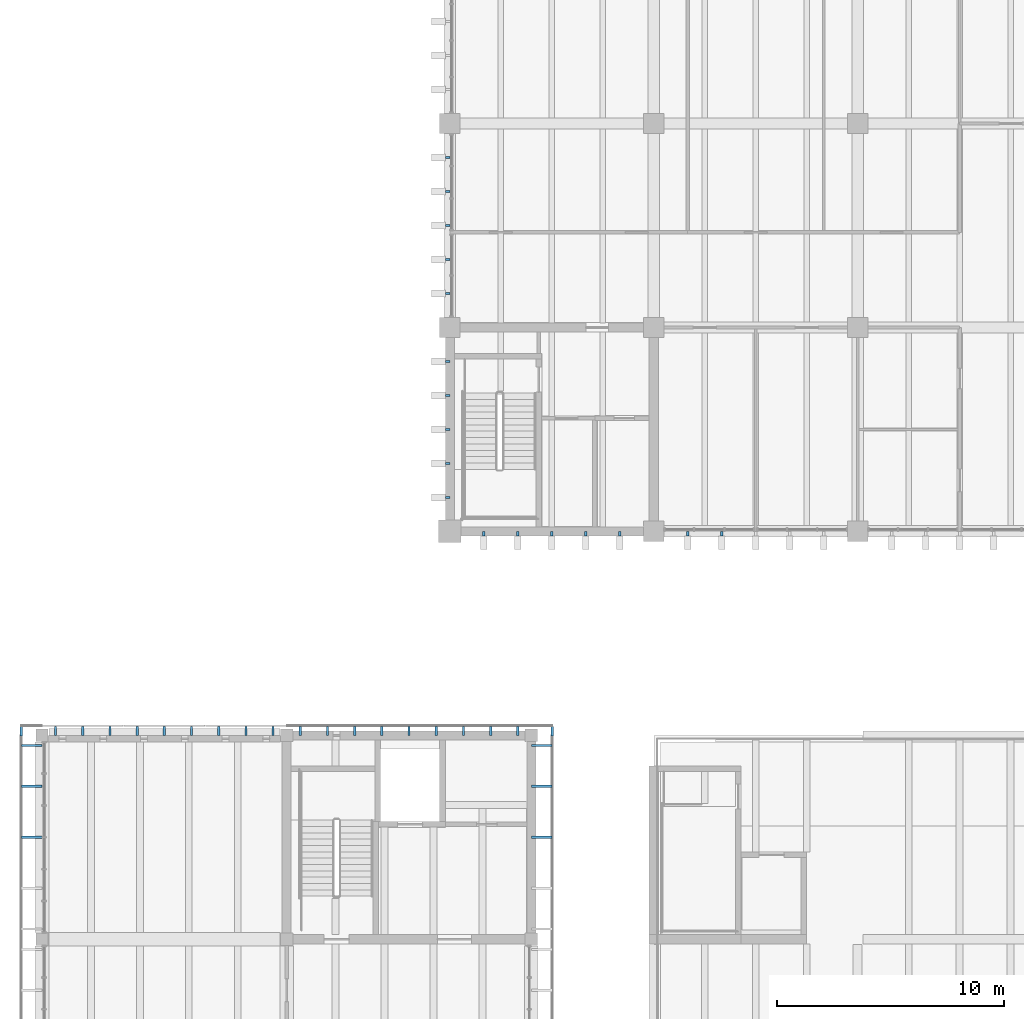
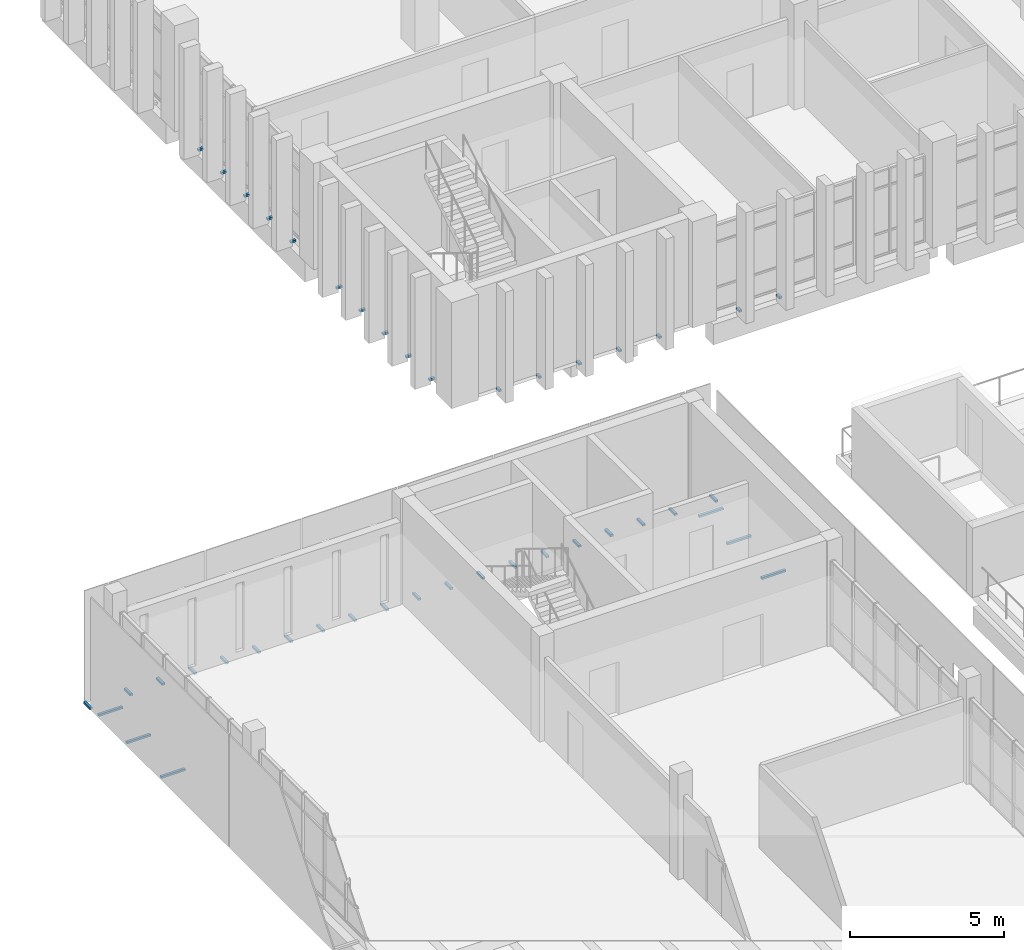
# One storey, part 53 of 74: 43 discrete accessories.
"""IFC4 building model written with IfcOpenShell, lengths in metres."""

from ifc_helpers import new_model, si_unit, direction, frame, origin, place, context, subcontext, project, spatial, polyline, outline, extrude, source, transform, mapped, material, type_object, element, save


model = new_model("IFC4")

# Units and contexts
model_context = context("Model", 3, precision=1e-05, world=origin(), true_north=direction((0.0, 1.0)))
body_context = subcontext(model_context, "Body", "Model", "MODEL_VIEW")
ifc_project = project(units=[si_unit("LENGTHUNIT", "METRE"), si_unit("AREAUNIT", "SQUARE_METRE"), si_unit("VOLUMEUNIT", "CUBIC_METRE"), si_unit("PLANEANGLEUNIT", "RADIAN"), si_unit("MASSUNIT", "GRAM", prefix="KILO")], contexts=[model_context])

# Site, building, storey
site_placement = place(None, origin())
site = spatial("IfcSite", under=ifc_project, at=site_placement, CompositionType="ELEMENT")
building_placement = place(site_placement, origin())
building = spatial("IfcBuilding", under=site, at=building_placement, Name="Merrow Basin Faculty of Sciences", CompositionType="ELEMENT")
storey_placement = place(building_placement, frame((0.0, 0.0, 13.5)))
storey = spatial("IfcBuildingStorey", under=building, at=storey_placement, Name="L03", CompositionType="ELEMENT", Elevation=13.5)

# Discrete accessories
ifc_material_1 = material(Name="Steel ASTM A572 Gr 50", Category="steel")
discrete_accessory_type_1 = type_object("IfcDiscreteAccessoryType", Name="Steel T bracket 100 x 80", PredefinedType="BRACKET", material=ifc_material_1)
shared_shape_1 = source(origin(), body_context, "Body", "SweptSolid", [
    extrude(outline(polyline([(0.0, 0.0), (0.10009765625, 0.0), (0.10009765625, 0.080078125), (0.0, 0.080078125), (0.0, 0.0)])), origin(), (0.0, 0.0, 1.0), 0.89990234375),
])
for number, where, z_axis, x_axis, name in (
    (1, (-0.89990234375, 128.449951171875, -0.2900390625), (1.0, 0.0, 0.0), (0.0, 1.0, 0.0), "Bracket WL03-08"),
    (2, (-0.89990234375, 130.699951171875, -0.2900390625), (1.0, 0.0, 0.0), (0.0, 1.0, 0.0), "Bracket WL03-08"),
    (3, (-0.89990234375, 132.5, -0.2900390625), (1.0, 0.0, 0.0), (0.0, 1.0, 0.0), "Bracket WL03-08"),
    (4, (22.5, 132.60009765625, -0.2900390625), (-1.0, 0.0, 0.0), (0.0, -1.0, 0.0), "Bracket EL03-08"),
    (5, (22.5, 130.800048828125, -0.2900390625), (-1.0, 0.0, 0.0), (0.0, -1.0, 0.0), "Bracket EL03-08"),
    (6, (22.5, 128.550048828125, -0.2900390625), (-1.0, 0.0, 0.0), (0.0, -1.0, 0.0), "Bracket EL03-08"),
):
    element("IfcDiscreteAccessory", number, at=place(storey_placement, frame(where, z_axis=z_axis, x_axis=x_axis)), inside=storey, type_object=discrete_accessory_type_1, Name=name, PredefinedType="BRACKET", context=body_context, shape_type="MappedRepresentation", body=[
        mapped(shared_shape_1, transform((0.0, 0.0, 0.0), scale=1.0)),
    ])
ifc_material_2 = material(Name="Steel ASTM A572 Gr 50", Category="steel")
discrete_accessory_type_2 = type_object("IfcDiscreteAccessoryType", Name="Steel T bracket 100 x 80 corner", PredefinedType="BRACKET", material=ifc_material_2)
shared_shape_2 = source(origin(), body_context, "Body", "SweptSolid", [
    extrude(outline(polyline([(0.0, 0.0), (0.10009765625, 0.0), (0.10009765625, 0.080078125), (0.0, 0.080078125), (0.0, 0.0)])), origin(), (0.0, 0.0, 1.0), 0.419921875),
])
for number, where, z_axis, x_axis, name in (
    (7, (-0.969970703125, 133.39990234375, -0.2900390625), (0.0, -1.0, 0.0), (1.0, 0.0, 0.0), "End corner bracket NL03-01"),
    (8, (22.469970703125, 133.39990234375, -0.2900390625), (0.0, -1.0, 0.0), (1.0, 0.0, 0.0), "End corner bracket NL03-08"),
):
    element("IfcDiscreteAccessory", number, at=place(storey_placement, frame(where, z_axis=z_axis, x_axis=x_axis)), inside=storey, type_object=discrete_accessory_type_2, Name=name, PredefinedType="BRACKET", context=body_context, shape_type="MappedRepresentation", body=[
        mapped(shared_shape_2, transform((0.0, 0.0, 0.0), scale=1.0)),
    ])
ifc_material_3 = material(Name="Steel ASTM A572 Gr 50", Category="steel")
discrete_accessory_type_3 = type_object("IfcDiscreteAccessoryType", Name="Steel T bracket 100 x 80 short", PredefinedType="BRACKET", material=ifc_material_3)
shared_shape_3 = source(origin(), body_context, "Body", "SweptSolid", [
    extrude(outline(polyline([(0.0, 0.0), (0.10009765625, 0.0), (0.10009765625, 0.080078125), (0.0, 0.080078125), (0.0, 0.0)])), origin(), (0.0, 0.0, 1.0), 0.39990234375),
])
for number, where, z_axis, x_axis, name in (
    (9, (0.550048828125, 133.39990234375, -0.2900390625), (0.0, -1.0, 0.0), (1.0, 0.0, 0.0), "End bracket NL03-02-1"),
    (10, (1.75, 133.39990234375, -0.2900390625), (0.0, -1.0, 0.0), (1.0, 0.0, 0.0), "End bracket NL03-02-2"),
    (11, (2.949951171875, 133.39990234375, -0.2900390625), (0.0, -1.0, 0.0), (1.0, 0.0, 0.0), "End bracket NL03-02-3"),
    (12, (4.14990234375, 133.39990234375, -0.2900390625), (0.0, -1.0, 0.0), (1.0, 0.0, 0.0), "End bracket NL03-03-1"),
    (13, (5.35009765625, 133.39990234375, -0.2900390625), (0.0, -1.0, 0.0), (1.0, 0.0, 0.0), "End bracket NL03-03-2"),
    (14, (6.550048828125, 133.39990234375, -0.2900390625), (0.0, -1.0, 0.0), (1.0, 0.0, 0.0), "End bracket NL03-03-3"),
    (15, (7.75, 133.39990234375, -0.2900390625), (0.0, -1.0, 0.0), (1.0, 0.0, 0.0), "End bracket NL03-04-1"),
    (16, (8.949951171875, 133.39990234375, -0.2900390625), (0.0, -1.0, 0.0), (1.0, 0.0, 0.0), "End bracket NL03-04-2"),
    (17, (10.14990234375, 133.39990234375, -0.2900390625), (0.0, -1.0, 0.0), (1.0, 0.0, 0.0), "End bracket NL03-04-3"),
    (18, (11.35009765625, 133.39990234375, -0.2900390625), (0.0, -1.0, 0.0), (1.0, 0.0, 0.0), "End bracket NL03-05-1"),
    (19, (12.550048828125, 133.39990234375, -0.2900390625), (0.0, -1.0, 0.0), (1.0, 0.0, 0.0), "End bracket NL03-05-2"),
    (20, (13.75, 133.39990234375, -0.2900390625), (0.0, -1.0, 0.0), (1.0, 0.0, 0.0), "End bracket NL03-05-3"),
    (21, (14.949951171875, 133.39990234375, -0.2900390625), (0.0, -1.0, 0.0), (1.0, 0.0, 0.0), "End bracket NL03-06-1"),
    (22, (16.14990234375, 133.39990234375, -0.2900390625), (0.0, -1.0, 0.0), (1.0, 0.0, 0.0), "End bracket NL03-06-2"),
    (23, (17.35009765625, 133.39990234375, -0.2900390625), (0.0, -1.0, 0.0), (1.0, 0.0, 0.0), "End bracket NL03-06-3"),
    (24, (18.550048828125, 133.39990234375, -0.2900390625), (0.0, -1.0, 0.0), (1.0, 0.0, 0.0), "End bracket NL03-07-1"),
    (25, (19.75, 133.39990234375, -0.2900390625), (0.0, -1.0, 0.0), (1.0, 0.0, 0.0), "End bracket NL03-07-2"),
    (26, (20.949951171875, 133.39990234375, -0.2900390625), (0.0, -1.0, 0.0), (1.0, 0.0, 0.0), "End bracket NL03-07-3"),
):
    element("IfcDiscreteAccessory", number, at=place(storey_placement, frame(where, z_axis=z_axis, x_axis=x_axis)), inside=storey, type_object=discrete_accessory_type_3, Name=name, PredefinedType="BRACKET", context=body_context, shape_type="MappedRepresentation", body=[
        mapped(shared_shape_3, transform((0.0, 0.0, 0.0), scale=1.0)),
    ])
ifc_material_4 = material(Name="Steel ASTM A572 Gr 50", Category="steel")
discrete_accessory_type_4 = type_object("IfcDiscreteAccessoryType", Name="Steel T bracket 100 x 80 fin", PredefinedType="BRACKET", material=ifc_material_4)
shared_shape_4 = source(origin(), body_context, "Body", "SweptSolid", [
    extrude(outline(polyline([(0.0, 0.0), (0.10009765625, 0.0), (0.10009765625, 0.080078125), (0.0, 0.080078125), (0.0, 0.0)])), origin(), (0.0, 0.0, 1.0), 0.199951171875),
])
for number, where, z_axis, x_axis, name in (
    (27, (19.449951171875, 142.0, -0.199951171875), (0.0, -1.0, 0.0), (1.0, 0.0, 0.0), "Fin bracket SL03"),
    (28, (20.949951171875, 142.0, -0.199951171875), (0.0, -1.0, 0.0), (1.0, 0.0, 0.0), "Fin bracket SL03"),
    (29, (22.449951171875, 142.0, -0.199951171875), (0.0, -1.0, 0.0), (1.0, 0.0, 0.0), "Fin bracket SL03"),
    (30, (23.949951171875, 142.0, -0.199951171875), (0.0, -1.0, 0.0), (1.0, 0.0, 0.0), "Fin bracket SL03"),
    (31, (25.449951171875, 142.0, -0.199951171875), (0.0, -1.0, 0.0), (1.0, 0.0, 0.0), "Fin bracket SL03"),
    (32, (28.449951171875, 142.0, -0.199951171875), (0.0, -1.0, 0.0), (1.0, 0.0, 0.0), "Fin bracket SL03"),
    (33, (29.949951171875, 142.0, -0.199951171875), (0.0, -1.0, 0.0), (1.0, 0.0, 0.0), "Fin bracket SL03"),
    (34, (18.0, 143.550048828125, -0.199951171875), (-1.0, 0.0, 0.0), (0.0, -1.0, 0.0), "Fin bracket WL03"),
    (35, (18.0, 145.050048828125, -0.199951171875), (-1.0, 0.0, 0.0), (0.0, -1.0, 0.0), "Fin bracket WL03"),
    (36, (18.0, 146.550048828125, -0.199951171875), (-1.0, 0.0, 0.0), (0.0, -1.0, 0.0), "Fin bracket WL03"),
    (37, (18.0, 148.050048828125, -0.199951171875), (-1.0, 0.0, 0.0), (0.0, -1.0, 0.0), "Fin bracket WL03"),
    (38, (18.0, 149.550048828125, -0.199951171875), (-1.0, 0.0, 0.0), (0.0, -1.0, 0.0), "Fin bracket WL03"),
    (39, (18.0, 152.550048828125, -0.199951171875), (-1.0, 0.0, 0.0), (0.0, -1.0, 0.0), "Fin bracket WL03"),
    (40, (18.0, 154.050048828125, -0.199951171875), (-1.0, 0.0, 0.0), (0.0, -1.0, 0.0), "Fin bracket WL03"),
    (41, (18.0, 155.550048828125, -0.199951171875), (-1.0, 0.0, 0.0), (0.0, -1.0, 0.0), "Fin bracket WL03"),
    (42, (18.0, 157.050048828125, -0.199951171875), (-1.0, 0.0, 0.0), (0.0, -1.0, 0.0), "Fin bracket WL03"),
    (43, (18.0, 158.550048828125, -0.199951171875), (-1.0, 0.0, 0.0), (0.0, -1.0, 0.0), "Fin bracket WL03"),
):
    element("IfcDiscreteAccessory", number, at=place(storey_placement, frame(where, z_axis=z_axis, x_axis=x_axis)), inside=storey, type_object=discrete_accessory_type_4, Name=name, PredefinedType="BRACKET", context=body_context, shape_type="MappedRepresentation", body=[
        mapped(shared_shape_4, transform((0.0, 0.0, 0.0), scale=1.0)),
    ])

save(model, "model.ifc")
